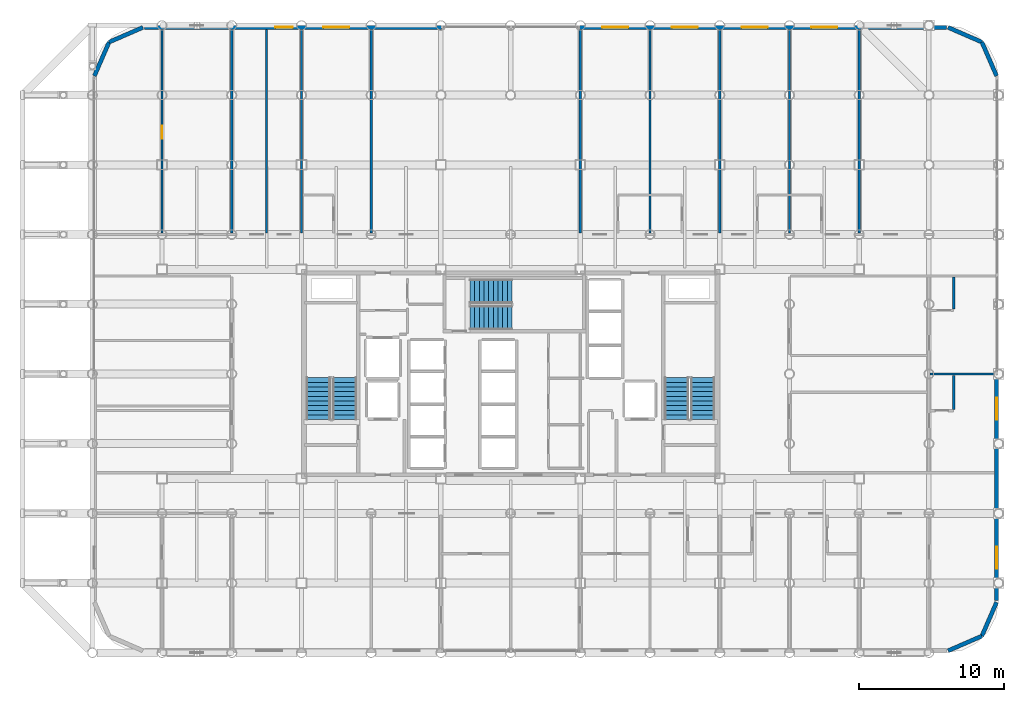
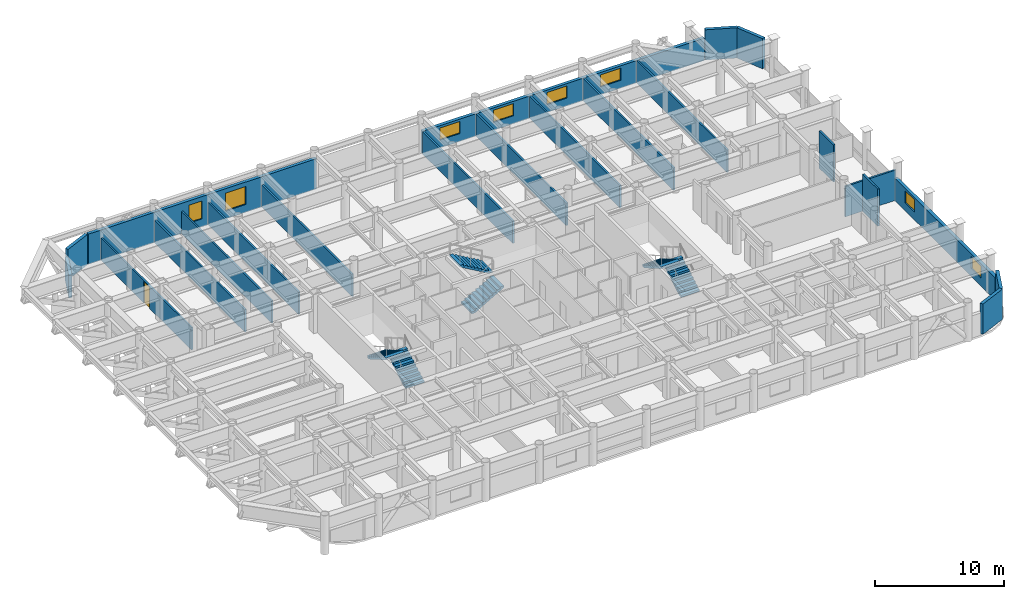
# One storey, part 22 of 23: 22 walls, 8 windows, 6 stair flights, 1 door, 9 openings, 3 elements without a shape of their own.
"""IFC4 building model written with IfcOpenShell, lengths in metres."""

import ifcopenshell
import ifcopenshell.guid

model = None  # the IFC model being written
_history = None  # IfcOwnerHistory: only IFC2X3 demands one
_inside = {}  # id of a spatial element -> (the spatial element, [elements in it])
_under = {}  # id of a project, library or spatial element -> (it, [spatial elements below it])
_declared = {}  # id of a project -> (the project, [libraries it declares])
_typed = {}  # id of a type object -> (the type object, [elements of that type])
_made_of = {}  # id of a material, layer set ... -> (it, [elements and type objects made of it])


def new_model(schema):
    """Start an empty IFC model of exactly this schema.

    Asked for "IFC4X3", IfcOpenShell would pick the latest addendum, in which some entities
    have other attributes; the version numbers below select the first issue.
    IFC2X3 requires an IfcOwnerHistory on every rooted entity: one is made here for all.
    """
    global model, _history
    if schema == "IFC4X3":
        model = ifcopenshell.file(schema_version=(4, 3, 0, 0))
    else:
        model = ifcopenshell.file(schema=schema)
    _inside.clear()
    _under.clear()
    _declared.clear()
    _typed.clear()
    _made_of.clear()
    _history = None
    if model.schema == "IFC2X3":
        org = make("IfcOrganization", Name="unknown")
        user = make(
            "IfcPersonAndOrganization",
            ThePerson=make("IfcPerson", FamilyName="unknown"),
            TheOrganization=org,
        )
        app = make(
            "IfcApplication",
            ApplicationDeveloper=org,
            Version="unknown",
            ApplicationFullName="unknown",
            ApplicationIdentifier="unknown",
        )
        _history = make(
            "IfcOwnerHistory",
            OwningUser=user,
            OwningApplication=app,
            ChangeAction="ADDED",
            CreationDate=0,
        )
    return model


def make(cls, **values):
    """One entity of the class cls with the attributes given. An attribute that is None is left unset."""
    return model.create_entity(
        cls, **{name: value for name, value in values.items() if value is not None}
    )


def rooted(cls, **values):
    """An entity with a GlobalId (a new one), such as an element, a storey or a relation."""
    return make(cls, GlobalId=ifcopenshell.guid.new(), OwnerHistory=_history, **values)


def si_unit(unit_type, name, prefix=None):
    """IfcSIUnit, for example si_unit("LENGTHUNIT", "METRE", prefix="MILLI")."""
    return make("IfcSIUnit", UnitType=unit_type, Prefix=prefix, Name=name)


def assignment(units):
    """IfcUnitAssignment: the units of a project."""
    return None if units is None else make("IfcUnitAssignment", Units=units)


def point(xyz):
    """IfcCartesianPoint."""
    return None if xyz is None else make("IfcCartesianPoint", Coordinates=xyz)


def direction(xyz):
    """IfcDirection."""
    return None if xyz is None else make("IfcDirection", DirectionRatios=xyz)


def frame(location, z_axis=None, x_axis=None):
    """IfcAxis2Placement3D, a coordinate frame: its origin and axes. An axis left out is left unset."""
    return make(
        "IfcAxis2Placement3D",
        Location=point(location),
        Axis=direction(z_axis),
        RefDirection=direction(x_axis),
    )


def frame_2d(location, x_axis=None):
    """IfcAxis2Placement2D, a coordinate frame in the plane: its origin and x axis."""
    return make(
        "IfcAxis2Placement2D", Location=point(location), RefDirection=direction(x_axis)
    )


def origin():
    """The frame at (0, 0, 0) with its axes left unset."""
    return frame((0.0, 0.0, 0.0))


def place(relative_to, where):
    """IfcLocalPlacement: puts the frame where relative to a parent placement (None: the world)."""
    return make(
        "IfcLocalPlacement", PlacementRelTo=relative_to, RelativePlacement=where
    )


def context(
    kind, dimensions, precision=None, world=None, true_north=None, identifier=None
):
    """IfcGeometricRepresentationContext, for example the 3D "Model" context."""
    return make(
        "IfcGeometricRepresentationContext",
        ContextIdentifier=identifier,
        ContextType=kind,
        CoordinateSpaceDimension=dimensions,
        Precision=precision,
        WorldCoordinateSystem=world,
        TrueNorth=true_north,
    )


def subcontext(parent, identifier, kind, view, scale=None):
    """IfcGeometricRepresentationSubContext, for example "Body" below "Model"."""
    return make(
        "IfcGeometricRepresentationSubContext",
        ContextIdentifier=identifier,
        ContextType=kind,
        ParentContext=parent,
        TargetScale=scale,
        TargetView=view,
    )


def project(units=None, contexts=None):
    """IfcProject with its units and contexts."""
    return rooted(
        "IfcProject",
        Name="project",
        RepresentationContexts=contexts,
        UnitsInContext=assignment(units),
    )


def spatial(cls, under=None, at=None, **own):
    """A site, building, storey or space (cls), placed at a placement, below another one or the project."""
    s = rooted(cls, ObjectPlacement=at, **own)
    if under is not None:
        _under.setdefault(under.id(), (under, []))[1].append(s)
    return s


def polyline(points):
    """IfcPolyline through the points."""
    return make("IfcPolyline", Points=[point(p) for p in points])


def profile(cls, at=None, kind="AREA", **sizes):
    """A parametric profile (cls). Its sizes go by their IFC names, for example OverallWidth=200.0."""
    return make(cls, ProfileType=kind, Position=at, **sizes)


def rectangle(**sizes):
    """IfcRectangleProfileDef."""
    return profile("IfcRectangleProfileDef", **sizes)


def outline(outer, holes=None, kind="AREA"):
    """IfcArbitraryClosedProfileDef: a profile drawn as a closed curve; with holes, ...WithVoids."""
    if holes is None:
        return make("IfcArbitraryClosedProfileDef", ProfileType=kind, OuterCurve=outer)
    return make(
        "IfcArbitraryProfileDefWithVoids",
        ProfileType=kind,
        OuterCurve=outer,
        InnerCurves=holes,
    )


def extrude(swept, where, along, depth):
    """IfcExtrudedAreaSolid: the profile swept, set in the frame where, extruded along a direction by depth."""
    return make(
        "IfcExtrudedAreaSolid",
        SweptArea=swept,
        Position=where,
        ExtrudedDirection=direction(along),
        Depth=depth,
    )


def shape(context_of_items, identifier, shape_type, items):
    """IfcShapeRepresentation: the items that make up one representation, for example the "Body"."""
    return make(
        "IfcShapeRepresentation",
        ContextOfItems=context_of_items,
        RepresentationIdentifier=identifier,
        RepresentationType=shape_type,
        Items=items,
    )


def material(Name=None, Category=None):
    """IfcMaterial."""
    return make("IfcMaterial", Name=Name, Category=Category)


def layer(
    of_material, thickness, ventilated=None, Name=None, Category=None, Priority=None
):
    """IfcMaterialLayer: one layer of a wall or slab, of a material (None: an air gap)."""
    return make(
        "IfcMaterialLayer",
        Material=of_material,
        LayerThickness=thickness,
        IsVentilated=ventilated,
        Name=Name,
        Category=Category,
        Priority=Priority,
    )


def layer_set(layers, Name=None):
    """IfcMaterialLayerSet."""
    return make("IfcMaterialLayerSet", MaterialLayers=layers, LayerSetName=Name)


def made_of(thing, what):
    """Note that an element or type object is made of a material, layer set ...; save() writes the relation."""
    if what is not None:
        _made_of.setdefault(what.id(), (what, []))[1].append(thing)
    return thing


def type_object(cls, material=None, **own):
    """A type object (cls), such as IfcWallType, which elements share."""
    return made_of(rooted(cls, **own), material)


def element(
    cls,
    number,
    at=None,
    inside=None,
    cuts=None,
    type_object=None,
    material=None,
    context=None,
    identifier="Body",
    shape_type=None,
    held_by="IfcProductDefinitionShape",
    body=None,
    shapes=None,
    **own,
):
    """One element of the class cls, such as IfcWall. Its Tag is "e" and its number.

    at: its placement. inside: the storey or other place that contains it. cuts: it is an
    opening in that element (IfcRelVoidsElement). A single representation is given by context,
    identifier, shape_type and body (its items); several are given by shapes. held_by: the class
    of the entity that holds the representations. save() writes the other relations.
    """
    e = rooted(cls, Tag="e%d" % number, ObjectPlacement=at, **own)
    if body is not None:
        shapes = [shape(context, identifier, shape_type, body)]
    if shapes is not None:
        e.Representation = make(held_by, Representations=shapes)
    if inside is not None:
        _inside.setdefault(inside.id(), (inside, []))[1].append(e)
    if cuts is not None:
        rooted(
            "IfcRelVoidsElement", RelatingBuildingElement=cuts, RelatedOpeningElement=e
        )
    if type_object is not None:
        _typed.setdefault(type_object.id(), (type_object, []))[1].append(e)
    return made_of(e, material)


def fill(opening, filler):
    """IfcRelFillsElement: the door or window that sits in an opening."""
    return rooted(
        "IfcRelFillsElement",
        RelatingOpeningElement=opening,
        RelatedBuildingElement=filler,
    )


def aggregate(whole, parts):
    """IfcRelAggregates: a whole, such as a stair, and the parts it consists of."""
    return rooted("IfcRelAggregates", RelatingObject=whole, RelatedObjects=parts)


def save(model, path):
    """Write the relations noted so far, then the file.

    IfcRelAggregates (storeys below a building ...), IfcRelContainedInSpatialStructure (elements
    in a storey), IfcRelDefinesByType, IfcRelAssociatesMaterial and IfcRelDeclares: one each for
    every whole, place, type object, material and project.
    """
    for whole, parts in _under.values():
        aggregate(whole, parts)
    for where, things in _inside.values():
        rooted(
            "IfcRelContainedInSpatialStructure",
            RelatedElements=things,
            RelatingStructure=where,
        )
    for kind, things in _typed.values():
        rooted("IfcRelDefinesByType", RelatedObjects=things, RelatingType=kind)
    for what, things in _made_of.values():
        rooted("IfcRelAssociatesMaterial", RelatedObjects=things, RelatingMaterial=what)
    for by, libraries in _declared.values():
        rooted("IfcRelDeclares", RelatingContext=by, RelatedDefinitions=libraries)
    model.write(path)


model = new_model("IFC4")

# Units and contexts
model_context = context("Model", 3, precision=1e-05, world=origin(), true_north=direction((0.0, 1.0)))
body_context = subcontext(model_context, "Body", "Model", "MODEL_VIEW")
ifc_project = project(units=[si_unit("LENGTHUNIT", "METRE"), si_unit("AREAUNIT", "SQUARE_METRE"), si_unit("VOLUMEUNIT", "CUBIC_METRE"), si_unit("PLANEANGLEUNIT", "RADIAN"), si_unit("MASSUNIT", "GRAM", prefix="KILO")], contexts=[model_context])

# Site, building, storey
site_placement = place(None, origin())
site = spatial("IfcSite", under=ifc_project, at=site_placement, CompositionType="ELEMENT")
building_placement = place(site_placement, origin())
building = spatial("IfcBuilding", under=site, at=building_placement, Name="Kallvorn Hotel Tower", CompositionType="ELEMENT")
storey_placement = place(building_placement, frame((0.0, 0.0, 121.10009765625)))
storey = spatial("IfcBuildingStorey", under=building, at=storey_placement, Name="L29", CompositionType="ELEMENT", Elevation=121.10009765625)

# Walls
ifc_material_1 = material(Name="Fire-rated double-layer acoustic gypsum drywall EI 60")
ifc_layer_1 = layer(ifc_material_1, 0.159912109375)
ifc_layer_set_1 = layer_set([ifc_layer_1], Name="WL_DEMISE_160")
wall_type_1 = type_object("IfcWallType", Name="WL_DEMISE_160", PredefinedType="PARTITIONING", material=ifc_layer_set_1)
wall_1_placement = place(storey_placement, frame((28.8798828125, 0.0, 0.0), z_axis=(0.0, 0.0, 1.0), x_axis=(1.0, 0.0, 0.0)))
element("IfcWall", 1, at=wall_1_placement, inside=storey, type_object=wall_type_1, Name="L29 Suite 2902 E Andean Twin Room Partition", PredefinedType="PARTITIONING", context=body_context, shape_type="SweptSolid", body=[
    extrude(rectangle(XDim=4.550048828125, YDim=0.159912109375, at=frame_2d((2.27490234375, 0.0))), origin(), (0.0, 0.0, 1.0), 2.869873046875),
])
for number, where, z_axis, x_axis, name in (
    (2, (-14.39990234375, 9.719970703125, 0.0), (0.0, 0.0, 1.0), (0.0, 1.0, 0.0), "L29 Suite 2908 Standard Twin Room Partition"),
    (3, (-9.60009765625, 9.719970703125, 0.0), (0.0, 0.0, 1.0), (0.0, 1.0, 0.0), "L29 Suite 2908 Standard Twin Room Partition"),
    (4, (4.800048828125, 9.719970703125, 0.0), (0.0, 0.0, 1.0), (0.0, 1.0, 0.0), "L29 Suite 2909 Standard Twin Room Partition"),
    (5, (9.60009765625, 9.719970703125, 0.0), (0.0, 0.0, 1.0), (0.0, 1.0, 0.0), "L29 Suite 2909 Standard Twin Room Partition"),
    (6, (14.39990234375, 9.719970703125, 0.0), (0.0, 0.0, 1.0), (0.0, 1.0, 0.0), "L29 Suite 2910 Standard Twin Room Partition"),
    (7, (19.199951171875, 9.719970703125, 0.0), (0.0, 0.0, 1.0), (0.0, 1.0, 0.0), "L29 Suite 2911 Standard Twin Room Partition"),
    (8, (24.0, 9.719970703125, 0.0), (0.0, 0.0, 1.0), (0.0, 1.0, 0.0), "L29 Suite 2912 Standard Twin Room Partition"),
):
    element("IfcWall", number, at=place(storey_placement, frame(where, z_axis=z_axis, x_axis=x_axis)), inside=storey, type_object=wall_type_1, Name=name, PredefinedType="PARTITIONING", context=body_context, shape_type="SweptSolid", body=[
        extrude(rectangle(XDim=13.989990234375, YDim=0.159912109375, at=frame_2d((6.9951171875, 0.0))), origin(), (0.0, 0.0, 1.0), 2.119873046875),
    ])
wall_2_placement = place(storey_placement, frame((30.5, -2.43994140625, 0.0), z_axis=(0.0, 0.0, 1.0), x_axis=(0.0, 1.0, 0.0)))
element("IfcWall", 9, at=wall_2_placement, inside=storey, type_object=wall_type_1, Name="L29 Suite 2901 E Loggia King Room Partition", PredefinedType="PARTITIONING", context=body_context, shape_type="SweptSolid", body=[
    extrude(rectangle(XDim=2.33984375, YDim=0.159912109375, at=frame_2d((1.169921875, 0.0))), origin(), (0.0, 0.0, 1.0), 3.52001953125),
])
wall_3_placement = place(storey_placement, frame((30.5, 4.458251953125, 0.0), z_axis=(0.0, 0.0, 1.0), x_axis=(0.0, 1.0, 0.0)))
element("IfcWall", 10, at=wall_3_placement, inside=storey, type_object=wall_type_1, Name="L29 Suite 2902 E Andean Twin Room Partition", PredefinedType="PARTITIONING", context=body_context, shape_type="SweptSolid", body=[
    extrude(rectangle(XDim=2.206787109375, YDim=0.159912109375, at=frame_2d((1.103515625, 0.0))), origin(), (0.0, 0.0, 1.0), 3.52001953125),
])
ifc_material_2 = material(Name="Precast basalt-clad insulated concrete wall C40/50", Category="masonry")
ifc_layer_2 = layer(ifc_material_2, 0.280029296875)
ifc_layer_set_2 = layer_set([ifc_layer_2], Name="WL_EXT_LOGGIA_280")
wall_type_2 = type_object("IfcWallType", Name="WL_EXT_LOGGIA_280", PredefinedType="SOLIDWALL", material=ifc_layer_set_2)
wall_4_placement = place(storey_placement, frame((30.120849609375, -19.057861328125, 0.0), z_axis=(0.0, 0.0, 1.0), x_axis=(0.917060872934, 0.398747232384, 0.0)))
element("IfcWall", 11, at=wall_4_placement, inside=storey, type_object=wall_type_2, Name="L29 Rounded Corner Exterior Wall SE1", PredefinedType="SOLIDWALL", context=body_context, shape_type="SweptSolid", body=[
    extrude(rectangle(XDim=2.5361328125, YDim=0.280029296875, at=frame_2d((1.26806640625, 0.0))), origin(), (0.0, 0.0, 1.0), 2.869873046875),
])
for number, where, z_axis, x_axis, name in (
    (12, (32.446533203125, -18.046630859375, 0.0), (0.0, 0.0, 1.0), (0.398792985289, 0.917040977756, 0.0), "L29 Rounded Corner Exterior Wall SE2"),
    (13, (33.4580078125, 20.520751953125, 0.0), (0.0, 0.0, 1.0), (-0.398792985289, 0.917040977756, 0.0), "L29 Rounded Corner Exterior Wall NE1"),
):
    element("IfcWall", number, at=place(storey_placement, frame(where, z_axis=z_axis, x_axis=x_axis)), inside=storey, type_object=wall_type_2, Name=name, PredefinedType="SOLIDWALL", context=body_context, shape_type="SweptSolid", body=[
        extrude(rectangle(XDim=2.536376953125, YDim=0.280029296875, at=frame_2d((1.26806640625, 0.0))), origin(), (0.0, 0.0, 1.0), 2.869873046875),
    ])
for number, where, z_axis, x_axis, name in (
    (14, (32.446533203125, 22.8466796875, 0.0), (0.0, 0.0, 1.0), (-0.917060872934, 0.398747232384, 0.0), "L29 Rounded Corner Exterior Wall NE2"),
    (15, (-25.32080078125, 23.85791015625, 0.0), (0.0, 0.0, 1.0), (-0.917060872934, -0.398747232384, 0.0), "L29 Rounded Corner Exterior Wall NW1"),
):
    element("IfcWall", number, at=place(storey_placement, frame(where, z_axis=z_axis, x_axis=x_axis)), inside=storey, type_object=wall_type_2, Name=name, PredefinedType="SOLIDWALL", context=body_context, shape_type="SweptSolid", body=[
        extrude(rectangle(XDim=2.5361328125, YDim=0.280029296875, at=frame_2d((1.26806640625, 0.0))), origin(), (0.0, 0.0, 1.0), 2.869873046875),
    ])
wall_5_placement = place(storey_placement, frame((-27.646484375, 22.8466796875, 0.0), z_axis=(0.0, 0.0, 1.0), x_axis=(-0.398792985289, -0.917040977756, 0.0)))
element("IfcWall", 16, at=wall_5_placement, inside=storey, type_object=wall_type_2, Name="L29 Rounded Corner Exterior Wall NW2", PredefinedType="SOLIDWALL", context=body_context, shape_type="SweptSolid", body=[
    extrude(rectangle(XDim=2.536376953125, YDim=0.280029296875, at=frame_2d((1.26806640625, 0.0))), origin(), (0.0, 0.0, 1.0), 2.119873046875),
])

# Wall, openings, windows
wall_6_placement = place(storey_placement, frame((-25.199951171875, 23.860107421875, 0.0), z_axis=(0.0, 0.0, 1.0), x_axis=(1.0, 0.0, 0.0)))
wall_6 = element("IfcWall", 17, at=wall_6_placement, inside=storey, type_object=wall_type_2, Name="L29 Exterior Envelope Wall EW-L29-NW", PredefinedType="SOLIDWALL", context=body_context, shape_type="SweptSolid", body=[
    extrude(rectangle(XDim=20.449951171875, YDim=0.280029296875, at=frame_2d((10.22509765625, 0.0))), origin(), (0.0, 0.0, 1.0), 2.869873046875),
])
opening_1_placement = place(wall_6_placement, frame((9.0, 0.0, 0.75)))
opening_1 = element("IfcOpeningElement", 18, at=opening_1_placement, cuts=wall_6, Name="Opening W06", PredefinedType="OPENING", context=body_context, shape_type="SweptSolid", body=[
    extrude(rectangle(XDim=1.199951171875, YDim=1.699951171875, at=frame_2d((0.60009765625, 0.85009765625))), frame((0.0, 0.155029296875, 0.0), z_axis=(0.0, -1.0, 0.0), x_axis=(1.0, 0.0, 0.0)), (0.0, 0.0, 1.0), 0.31005859375),
])
opening_2_placement = place(wall_6_placement, frame((12.300048828125, 0.0, 0.75)))
opening_2 = element("IfcOpeningElement", 19, at=opening_2_placement, cuts=wall_6, Name="Opening W04", PredefinedType="OPENING", context=body_context, shape_type="SweptSolid", body=[
    extrude(rectangle(XDim=1.800048828125, YDim=1.699951171875, at=frame_2d((0.89990234375, 0.85009765625))), frame((0.0, 0.155029296875, 0.0), z_axis=(0.0, -1.0, 0.0), x_axis=(1.0, 0.0, 0.0)), (0.0, 0.0, 1.0), 0.31005859375),
])
ifc_material_3 = material(Name="Triple-glazed low-e acoustic solar-control dark glass", Category="glass")
window_type_1 = type_object("IfcWindowType", Name="WN_HTL_1200x1700", PartitioningType="SINGLE_PANEL", PredefinedType="WINDOW", material=ifc_material_3)
window_1_placement = place(opening_1_placement, origin())
window_1 = element("IfcWindow", 20, at=window_1_placement, inside=storey, type_object=window_type_1, Name="L29 Guestroom Exterior Window 10", OverallHeight=1.699951171875, OverallWidth=1.199951171875, PartitioningType="SINGLE_PANEL", PredefinedType="WINDOW", context=body_context, shape_type="SweptSolid", body=[
    extrude(rectangle(XDim=1.199951171875, YDim=1.699951171875, at=frame_2d((0.60009765625, 0.85009765625))), frame((0.0, 0.030029296875, 0.0), z_axis=(0.0, -1.0, 0.0), x_axis=(1.0, 0.0, 0.0)), (0.0, 0.0, 1.0), 0.06005859375),
])
fill(opening_1, window_1)
ifc_material_4 = material(Name="Double-glazed low-e solar-control dark glass", Category="glass")
window_type_2 = type_object("IfcWindowType", Name="WN_HTL_1800x1700", PartitioningType="SINGLE_PANEL", PredefinedType="WINDOW", material=ifc_material_4)
window_2_placement = place(opening_2_placement, origin())
window_2 = element("IfcWindow", 21, at=window_2_placement, inside=storey, type_object=window_type_2, Name="L29 Guestroom Exterior Window 11", OverallHeight=1.699951171875, OverallWidth=1.800048828125, PartitioningType="SINGLE_PANEL", PredefinedType="WINDOW", context=body_context, shape_type="SweptSolid", body=[
    extrude(rectangle(XDim=1.800048828125, YDim=1.699951171875, at=frame_2d((0.89990234375, 0.85009765625))), frame((0.0, 0.030029296875, 0.0), z_axis=(0.0, -1.0, 0.0), x_axis=(1.0, 0.0, 0.0)), (0.0, 0.0, 1.0), 0.06005859375),
])
fill(opening_2, window_2)

wall_7_placement = place(storey_placement, frame((4.75, 23.860107421875, 0.0), z_axis=(0.0, 0.0, 1.0), x_axis=(1.0, 0.0, 0.0)))
wall_7 = element("IfcWall", 22, at=wall_7_placement, inside=storey, type_object=wall_type_2, Name="L29 Exterior Envelope Wall EW-L29-NE", PredefinedType="SOLIDWALL", context=body_context, shape_type="SweptSolid", body=[
    extrude(rectangle(XDim=25.25, YDim=0.280029296875, at=frame_2d((12.625, 0.0))), origin(), (0.0, 0.0, 1.0), 2.119873046875),
])
opening_3_placement = place(wall_7_placement, frame((1.550048828125, 0.0, 0.75)))
opening_3 = element("IfcOpeningElement", 23, at=opening_3_placement, cuts=wall_7, Name="Opening W04A", PredefinedType="OPENING", context=body_context, shape_type="SweptSolid", body=[
    extrude(rectangle(XDim=1.800048828125, YDim=1.14990234375, at=frame_2d((0.89990234375, 0.574951171875))), frame((0.0, 0.155029296875, 0.0), z_axis=(0.0, -1.0, 0.0), x_axis=(1.0, 0.0, 0.0)), (0.0, 0.0, 1.0), 0.31005859375),
])
opening_4_placement = place(wall_7_placement, frame((6.35009765625, 0.0, 0.75)))
opening_4 = element("IfcOpeningElement", 24, at=opening_4_placement, cuts=wall_7, Name="Opening W04A", PredefinedType="OPENING", context=body_context, shape_type="SweptSolid", body=[
    extrude(rectangle(XDim=1.800048828125, YDim=1.14990234375, at=frame_2d((0.89990234375, 0.574951171875))), frame((0.0, 0.155029296875, 0.0), z_axis=(0.0, -1.0, 0.0), x_axis=(1.0, 0.0, 0.0)), (0.0, 0.0, 1.0), 0.31005859375),
])
opening_5_placement = place(wall_7_placement, frame((11.14990234375, 0.0, 0.75)))
opening_5 = element("IfcOpeningElement", 25, at=opening_5_placement, cuts=wall_7, Name="Opening W04A", PredefinedType="OPENING", context=body_context, shape_type="SweptSolid", body=[
    extrude(rectangle(XDim=1.800048828125, YDim=1.14990234375, at=frame_2d((0.89990234375, 0.574951171875))), frame((0.0, 0.155029296875, 0.0), z_axis=(0.0, -1.0, 0.0), x_axis=(1.0, 0.0, 0.0)), (0.0, 0.0, 1.0), 0.31005859375),
])
opening_6_placement = place(wall_7_placement, frame((15.949951171875, 0.0, 0.75)))
opening_6 = element("IfcOpeningElement", 26, at=opening_6_placement, cuts=wall_7, Name="Opening W04A", PredefinedType="OPENING", context=body_context, shape_type="SweptSolid", body=[
    extrude(rectangle(XDim=1.800048828125, YDim=1.14990234375, at=frame_2d((0.89990234375, 0.574951171875))), frame((0.0, 0.155029296875, 0.0), z_axis=(0.0, -1.0, 0.0), x_axis=(1.0, 0.0, 0.0)), (0.0, 0.0, 1.0), 0.31005859375),
])
ifc_material_5 = material(Name="Double-glazed low-e solar-control dark glass", Category="glass")
window_type_3 = type_object("IfcWindowType", Name="WN_HTL_1800x1150", PartitioningType="SINGLE_PANEL", PredefinedType="WINDOW", material=ifc_material_5)
window_3_placement = place(opening_3_placement, origin())
window_3 = element("IfcWindow", 27, at=window_3_placement, inside=storey, type_object=window_type_3, Name="L29 Guestroom Exterior Window 12", OverallHeight=1.14990234375, OverallWidth=1.800048828125, PartitioningType="SINGLE_PANEL", PredefinedType="WINDOW", context=body_context, shape_type="SweptSolid", body=[
    extrude(rectangle(XDim=1.800048828125, YDim=1.14990234375, at=frame_2d((0.89990234375, 0.574951171875))), frame((0.0, 0.030029296875, 0.0), z_axis=(0.0, -1.0, 0.0), x_axis=(1.0, 0.0, 0.0)), (0.0, 0.0, 1.0), 0.06005859375),
])
fill(opening_3, window_3)
window_4_placement = place(opening_4_placement, origin())
window_4 = element("IfcWindow", 28, at=window_4_placement, inside=storey, type_object=window_type_3, Name="L29 Guestroom Exterior Window 13", OverallHeight=1.14990234375, OverallWidth=1.800048828125, PartitioningType="SINGLE_PANEL", PredefinedType="WINDOW", context=body_context, shape_type="SweptSolid", body=[
    extrude(rectangle(XDim=1.800048828125, YDim=1.14990234375, at=frame_2d((0.89990234375, 0.574951171875))), frame((0.0, 0.030029296875, 0.0), z_axis=(0.0, -1.0, 0.0), x_axis=(1.0, 0.0, 0.0)), (0.0, 0.0, 1.0), 0.06005859375),
])
fill(opening_4, window_4)
window_5_placement = place(opening_5_placement, origin())
window_5 = element("IfcWindow", 29, at=window_5_placement, inside=storey, type_object=window_type_3, Name="L29 Guestroom Exterior Window 14", OverallHeight=1.14990234375, OverallWidth=1.800048828125, PartitioningType="SINGLE_PANEL", PredefinedType="WINDOW", context=body_context, shape_type="SweptSolid", body=[
    extrude(rectangle(XDim=1.800048828125, YDim=1.14990234375, at=frame_2d((0.89990234375, 0.574951171875))), frame((0.0, 0.030029296875, 0.0), z_axis=(0.0, -1.0, 0.0), x_axis=(1.0, 0.0, 0.0)), (0.0, 0.0, 1.0), 0.06005859375),
])
fill(opening_5, window_5)
window_6_placement = place(opening_6_placement, origin())
window_6 = element("IfcWindow", 30, at=window_6_placement, inside=storey, type_object=window_type_3, Name="L29 Guestroom Exterior Window 15", OverallHeight=1.14990234375, OverallWidth=1.800048828125, PartitioningType="SINGLE_PANEL", PredefinedType="WINDOW", context=body_context, shape_type="SweptSolid", body=[
    extrude(rectangle(XDim=1.800048828125, YDim=1.14990234375, at=frame_2d((0.89990234375, 0.574951171875))), frame((0.0, 0.030029296875, 0.0), z_axis=(0.0, -1.0, 0.0), x_axis=(1.0, 0.0, 0.0)), (0.0, 0.0, 1.0), 0.06005859375),
])
fill(opening_6, window_6)

wall_8_placement = place(storey_placement, frame((33.4599609375, -15.60009765625, 0.0), z_axis=(0.0, 0.0, 1.0), x_axis=(0.0, 1.0, 0.0)))
wall_8 = element("IfcWall", 31, at=wall_8_placement, inside=storey, type_object=wall_type_2, Name="L29 Exterior Envelope Wall EW-L29-ES", PredefinedType="SOLIDWALL", context=body_context, shape_type="SweptSolid", body=[
    extrude(rectangle(XDim=15.580078125, YDim=0.280029296875, at=frame_2d((7.7900390625, 0.0))), origin(), (0.0, 0.0, 1.0), 2.119873046875),
])
opening_7_placement = place(wall_8_placement, frame((2.18994140625, 0.0, 0.75)))
opening_7 = element("IfcOpeningElement", 32, at=opening_7_placement, cuts=wall_8, Name="Opening W05A", PredefinedType="OPENING", context=body_context, shape_type="SweptSolid", body=[
    extrude(rectangle(XDim=1.5, YDim=1.14990234375, at=frame_2d((0.75, 0.574951171875))), frame((0.0, 0.155029296875, 0.0), z_axis=(0.0, -1.0, 0.0), x_axis=(1.0, 0.0, 0.0)), (0.0, 0.0, 1.0), 0.31005859375),
])
opening_8_placement = place(wall_8_placement, frame((12.449951171875, 0.0, 0.75)))
opening_8 = element("IfcOpeningElement", 33, at=opening_8_placement, cuts=wall_8, Name="Opening W05A", PredefinedType="OPENING", context=body_context, shape_type="SweptSolid", body=[
    extrude(rectangle(XDim=1.5, YDim=1.14990234375, at=frame_2d((0.75, 0.574951171875))), frame((0.0, 0.155029296875, 0.0), z_axis=(0.0, -1.0, 0.0), x_axis=(1.0, 0.0, 0.0)), (0.0, 0.0, 1.0), 0.31005859375),
])
ifc_material_6 = material(Name="Double-glazed low-e solar-control dark glass", Category="glass")
window_type_4 = type_object("IfcWindowType", Name="WN_HTL_1500x1150", PartitioningType="SINGLE_PANEL", PredefinedType="WINDOW", material=ifc_material_6)
window_7_placement = place(opening_7_placement, origin())
window_7 = element("IfcWindow", 34, at=window_7_placement, inside=storey, type_object=window_type_4, Name="L29 Flank Wing Window 02", OverallHeight=1.14990234375, OverallWidth=1.5, PartitioningType="SINGLE_PANEL", PredefinedType="WINDOW", context=body_context, shape_type="SweptSolid", body=[
    extrude(rectangle(XDim=1.5, YDim=1.14990234375, at=frame_2d((0.75, 0.574951171875))), frame((0.0, 0.030029296875, 0.0), z_axis=(0.0, -1.0, 0.0), x_axis=(1.0, 0.0, 0.0)), (0.0, 0.0, 1.0), 0.06005859375),
])
fill(opening_7, window_7)
window_8_placement = place(opening_8_placement, origin())
window_8 = element("IfcWindow", 35, at=window_8_placement, inside=storey, type_object=window_type_4, Name="L29 Flank Wing Window 03", OverallHeight=1.14990234375, OverallWidth=1.5, PartitioningType="SINGLE_PANEL", PredefinedType="WINDOW", context=body_context, shape_type="SweptSolid", body=[
    extrude(rectangle(XDim=1.5, YDim=1.14990234375, at=frame_2d((0.75, 0.574951171875))), frame((0.0, 0.030029296875, 0.0), z_axis=(0.0, -1.0, 0.0), x_axis=(1.0, 0.0, 0.0)), (0.0, 0.0, 1.0), 0.06005859375),
])
fill(opening_8, window_8)

# Wall, opening, door
ifc_material_7 = material(Name="Fire-rated double-layer acoustic gypsum drywall EI 60")
ifc_layer_3 = layer(ifc_material_7, 0.14990234375)
ifc_layer_set_3 = layer_set([ifc_layer_3], Name="WL_PART_150")
wall_type_3 = type_object("IfcWallType", Name="WL_PART_150", PredefinedType="PARTITIONING", material=ifc_layer_set_3)
wall_9_placement = place(storey_placement, frame((-24.0, 9.719970703125, 0.0), z_axis=(0.0, 0.0, 1.0), x_axis=(0.0, 1.0, 0.0)))
wall_9 = element("IfcWall", 36, at=wall_9_placement, inside=storey, type_object=wall_type_3, Name="L29 L29 North-West Fitness Gymnasium A Partition", PredefinedType="PARTITIONING", context=body_context, shape_type="SweptSolid", body=[
    extrude(rectangle(XDim=13.989990234375, YDim=0.14990234375, at=frame_2d((6.9951171875, 0.0))), origin(), (0.0, 0.0, 1.0), 2.119873046875),
])
opening_9_placement = place(wall_9_placement, frame((6.465087890625, 0.0, 0.0)))
opening_9 = element("IfcOpeningElement", 37, at=opening_9_placement, cuts=wall_9, Name="Opening SVD1A", PredefinedType="OPENING", context=body_context, shape_type="SweptSolid", body=[
    extrude(rectangle(XDim=0.89990234375, YDim=2.02001953125, at=frame_2d((0.449951171875, 1.010009765625))), frame((0.0, 0.08984375, 0.0), z_axis=(0.0, -1.0, 0.0), x_axis=(1.0, 0.0, 0.0)), (0.0, 0.0, 1.0), 0.179931640625),
])
ifc_material_8 = material(Name="Galvanised painted steel fire-rated door assembly", Category="steel")
door_type = type_object("IfcDoorType", Name="DR_SERV_900x2020", OperationType="NOTDEFINED", PredefinedType="DOOR", material=ifc_material_8)
door_placement = place(opening_9_placement, origin())
door = element("IfcDoor", 38, at=door_placement, inside=storey, type_object=door_type, Name="L29 L29 North-West Fitness Gymnasium A Door", OperationType="SINGLE_SWING_RIGHT", OverallHeight=2.02001953125, OverallWidth=0.89990234375, PredefinedType="DOOR", context=body_context, shape_type="SweptSolid", body=[
    extrude(rectangle(XDim=0.89990234375, YDim=2.02001953125, at=frame_2d((0.449951171875, 1.010009765625))), frame((0.0, 0.02490234375, 0.0), z_axis=(0.0, -1.0, 0.0), x_axis=(1.0, 0.0, 0.0)), (0.0, 0.0, 1.0), 0.050048828125),
])
fill(opening_9, door)

# Walls
for number, where, z_axis, x_axis, name in (
    (39, (-19.199951171875, 9.719970703125, 0.0), (0.0, 0.0, 1.0), (0.0, 1.0, 0.0), "L29 Housekeeping and Linen Room Partition"),
    (40, (-16.800048828125, 9.719970703125, 0.0), (0.0, 0.0, 1.0), (0.0, 1.0, 0.0), "L29 Guest Tea and Refreshment Bar Partition"),
):
    element("IfcWall", number, at=place(storey_placement, frame(where, z_axis=z_axis, x_axis=x_axis)), inside=storey, type_object=wall_type_3, Name=name, PredefinedType="PARTITIONING", context=body_context, shape_type="SweptSolid", body=[
        extrude(rectangle(XDim=13.989990234375, YDim=0.14990234375, at=frame_2d((6.9951171875, 0.0))), origin(), (0.0, 0.0, 1.0), 2.119873046875),
    ])

# Stair, stair flights
ifc_material_9 = material(Name="Precast concrete C40/50", Category="concrete")
stair_type = type_object("IfcStairType", Name="STR_CORE_DOGLEG", PredefinedType="HALF_TURN_STAIR", material=ifc_material_9)
stair_1_placement = place(storey_placement, origin())
stair_1 = element("IfcStair", 41, at=stair_1_placement, inside=storey, type_object=stair_type, Name="L29 Exit stair ST1", PredefinedType="HALF_TURN_STAIR")
ifc_material_10 = material(Name="Precast concrete C40/50", Category="concrete")
stair_flight_type = type_object("IfcStairFlightType", Name="FLT_CORE_1660", PredefinedType="STRAIGHT", material=ifc_material_10)
stair_flight_1_placement = place(storey_placement, frame((-11.429931640625, -3.139892578125, 0.0), z_axis=(0.0, 0.0, 1.0), x_axis=(0.0, 1.0, 0.0)))
stair_flight_1 = element("IfcStairFlight", 42, at=stair_flight_1_placement, type_object=stair_flight_type, Name="ST1 flight 1", NumberOfRisers=10, NumberOfTreads=9, PredefinedType="STRAIGHT", RiserHeight=0.185, TreadLength=0.32, context=body_context, shape_type="SweptSolid", body=[
    extrude(outline(polyline([(0.0, 0.0), (0.0, 0.18505859375), (0.320068359375, 0.18505859375), (0.320068359375, 0.3701171875), (0.639892578125, 0.3701171875), (0.639892578125, 0.554931640625), (0.9599609375, 0.554931640625), (0.9599609375, 0.739990234375), (1.280029296875, 0.739990234375), (1.280029296875, 0.925048828125), (1.60009765625, 0.925048828125), (1.60009765625, 1.110107421875), (1.919921875, 1.110107421875), (1.919921875, 1.294921875), (2.239990234375, 1.294921875), (2.239990234375, 1.47998046875), (2.56005859375, 1.47998046875), (2.56005859375, 1.6650390625), (2.8798828125, 1.6650390625), (2.8798828125, 1.85009765625), (2.8798828125, 1.491943359375), (0.299560546875, 0.0), (0.0, 0.0)])), frame((0.0, 0.830078125, 0.0), z_axis=(0.0, -1.0, 0.0), x_axis=(1.0, 0.0, 0.0)), (0.0, 0.0, 1.0), 1.659912109375),
])
stair_flight_2_placement = place(storey_placement, frame((-13.22998046875, -0.260009765625, 1.849853515625), z_axis=(0.0, 0.0, 1.0), x_axis=(0.0, -1.0, 0.0)))
stair_flight_2 = element("IfcStairFlight", 43, at=stair_flight_2_placement, type_object=stair_flight_type, Name="ST1 flight 2", NumberOfRisers=10, NumberOfTreads=9, PredefinedType="STRAIGHT", RiserHeight=0.185, TreadLength=0.32, context=body_context, shape_type="SweptSolid", body=[
    extrude(outline(polyline([(0.0, 0.0), (0.0, 0.18505859375), (0.320068359375, 0.18505859375), (0.320068359375, 0.3701171875), (0.639892578125, 0.3701171875), (0.639892578125, 0.554931640625), (0.9599609375, 0.554931640625), (0.9599609375, 0.739990234375), (1.280029296875, 0.739990234375), (1.280029296875, 0.925048828125), (1.60009765625, 0.925048828125), (1.60009765625, 1.110107421875), (1.919921875, 1.110107421875), (1.919921875, 1.294921875), (2.239990234375, 1.294921875), (2.239990234375, 1.47998046875), (2.56005859375, 1.47998046875), (2.56005859375, 1.6650390625), (2.8798828125, 1.6650390625), (2.8798828125, 1.85009765625), (2.8798828125, 1.491943359375), (0.299560546875, 0.0), (0.0, 0.0)])), frame((0.0, 0.830078125, 0.0), z_axis=(0.0, -1.0, 0.0), x_axis=(1.0, 0.0, 0.0)), (0.0, 0.0, 1.0), 1.659912109375),
])
aggregate(stair_1, [stair_flight_1, stair_flight_2])

stair_2_placement = place(storey_placement, origin())
stair_2 = element("IfcStair", 44, at=stair_2_placement, inside=storey, type_object=stair_type, Name="L29 Exit stair ST2", PredefinedType="HALF_TURN_STAIR")
stair_flight_3_placement = place(storey_placement, frame((13.22998046875, -3.139892578125, 0.0), z_axis=(0.0, 0.0, 1.0), x_axis=(0.0, 1.0, 0.0)))
stair_flight_3 = element("IfcStairFlight", 45, at=stair_flight_3_placement, type_object=stair_flight_type, Name="ST2 flight 1", NumberOfRisers=10, NumberOfTreads=9, PredefinedType="STRAIGHT", RiserHeight=0.185, TreadLength=0.32, context=body_context, shape_type="SweptSolid", body=[
    extrude(outline(polyline([(0.0, 0.0), (0.0, 0.18505859375), (0.320068359375, 0.18505859375), (0.320068359375, 0.3701171875), (0.639892578125, 0.3701171875), (0.639892578125, 0.554931640625), (0.9599609375, 0.554931640625), (0.9599609375, 0.739990234375), (1.280029296875, 0.739990234375), (1.280029296875, 0.925048828125), (1.60009765625, 0.925048828125), (1.60009765625, 1.110107421875), (1.919921875, 1.110107421875), (1.919921875, 1.294921875), (2.239990234375, 1.294921875), (2.239990234375, 1.47998046875), (2.56005859375, 1.47998046875), (2.56005859375, 1.6650390625), (2.8798828125, 1.6650390625), (2.8798828125, 1.85009765625), (2.8798828125, 1.491943359375), (0.299560546875, 0.0), (0.0, 0.0)])), frame((0.0, 0.830078125, 0.0), z_axis=(0.0, -1.0, 0.0), x_axis=(1.0, 0.0, 0.0)), (0.0, 0.0, 1.0), 1.659912109375),
])
stair_flight_4_placement = place(storey_placement, frame((11.429931640625, -0.260009765625, 1.849853515625), z_axis=(0.0, 0.0, 1.0), x_axis=(0.0, -1.0, 0.0)))
stair_flight_4 = element("IfcStairFlight", 46, at=stair_flight_4_placement, type_object=stair_flight_type, Name="ST2 flight 2", NumberOfRisers=10, NumberOfTreads=9, PredefinedType="STRAIGHT", RiserHeight=0.185, TreadLength=0.32, context=body_context, shape_type="SweptSolid", body=[
    extrude(outline(polyline([(0.0, 0.0), (0.0, 0.18505859375), (0.320068359375, 0.18505859375), (0.320068359375, 0.3701171875), (0.639892578125, 0.3701171875), (0.639892578125, 0.554931640625), (0.9599609375, 0.554931640625), (0.9599609375, 0.739990234375), (1.280029296875, 0.739990234375), (1.280029296875, 0.925048828125), (1.60009765625, 0.925048828125), (1.60009765625, 1.110107421875), (1.919921875, 1.110107421875), (1.919921875, 1.294921875), (2.239990234375, 1.294921875), (2.239990234375, 1.47998046875), (2.56005859375, 1.47998046875), (2.56005859375, 1.6650390625), (2.8798828125, 1.6650390625), (2.8798828125, 1.85009765625), (2.8798828125, 1.491943359375), (0.299560546875, 0.0), (0.0, 0.0)])), frame((0.0, 0.830078125, 0.0), z_axis=(0.0, -1.0, 0.0), x_axis=(1.0, 0.0, 0.0)), (0.0, 0.0, 1.0), 1.659912109375),
])
aggregate(stair_2, [stair_flight_3, stair_flight_4])

stair_3_placement = place(storey_placement, origin())
stair_3 = element("IfcStair", 47, at=stair_3_placement, inside=storey, type_object=stair_type, Name="L29 Exit stair ST3", PredefinedType="HALF_TURN_STAIR")
stair_flight_5_placement = place(storey_placement, frame((-2.7900390625, 3.8798828125, 0.0), z_axis=(0.0, 0.0, 1.0), x_axis=(1.0, 0.0, 0.0)))
stair_flight_5 = element("IfcStairFlight", 48, at=stair_flight_5_placement, type_object=stair_flight_type, Name="ST3 flight 1", NumberOfRisers=10, NumberOfTreads=9, PredefinedType="STRAIGHT", RiserHeight=0.185, TreadLength=0.32, context=body_context, shape_type="SweptSolid", body=[
    extrude(outline(polyline([(0.0, 0.0), (0.0, 0.18505859375), (0.320068359375, 0.18505859375), (0.320068359375, 0.3701171875), (0.639892578125, 0.3701171875), (0.639892578125, 0.554931640625), (0.9599609375, 0.554931640625), (0.9599609375, 0.739990234375), (1.280029296875, 0.739990234375), (1.280029296875, 0.925048828125), (1.60009765625, 0.925048828125), (1.60009765625, 1.110107421875), (1.919921875, 1.110107421875), (1.919921875, 1.294921875), (2.239990234375, 1.294921875), (2.239990234375, 1.47998046875), (2.56005859375, 1.47998046875), (2.56005859375, 1.6650390625), (2.8798828125, 1.6650390625), (2.8798828125, 1.85009765625), (2.8798828125, 1.491943359375), (0.299560546875, 0.0), (0.0, 0.0)])), frame((0.0, 0.830078125, 0.0), z_axis=(0.0, -1.0, 0.0), x_axis=(1.0, 0.0, 0.0)), (0.0, 0.0, 1.0), 1.659912109375),
])
stair_flight_6_placement = place(storey_placement, frame((0.090087890625, 5.679931640625, 1.849853515625), z_axis=(0.0, 0.0, 1.0), x_axis=(-1.0, 0.0, 0.0)))
stair_flight_6 = element("IfcStairFlight", 49, at=stair_flight_6_placement, type_object=stair_flight_type, Name="ST3 flight 2", NumberOfRisers=10, NumberOfTreads=9, PredefinedType="STRAIGHT", RiserHeight=0.185, TreadLength=0.32, context=body_context, shape_type="SweptSolid", body=[
    extrude(outline(polyline([(0.0, 0.0), (0.0, 0.18505859375), (0.320068359375, 0.18505859375), (0.320068359375, 0.3701171875), (0.639892578125, 0.3701171875), (0.639892578125, 0.554931640625), (0.9599609375, 0.554931640625), (0.9599609375, 0.739990234375), (1.280029296875, 0.739990234375), (1.280029296875, 0.925048828125), (1.60009765625, 0.925048828125), (1.60009765625, 1.110107421875), (1.919921875, 1.110107421875), (1.919921875, 1.294921875), (2.239990234375, 1.294921875), (2.239990234375, 1.47998046875), (2.56005859375, 1.47998046875), (2.56005859375, 1.6650390625), (2.8798828125, 1.6650390625), (2.8798828125, 1.85009765625), (2.8798828125, 1.491943359375), (0.299560546875, 0.0), (0.0, 0.0)])), frame((0.0, 0.830078125, 0.0), z_axis=(0.0, -1.0, 0.0), x_axis=(1.0, 0.0, 0.0)), (0.0, 0.0, 1.0), 1.659912109375),
])
aggregate(stair_3, [stair_flight_5, stair_flight_6])

save(model, "model.ifc")
